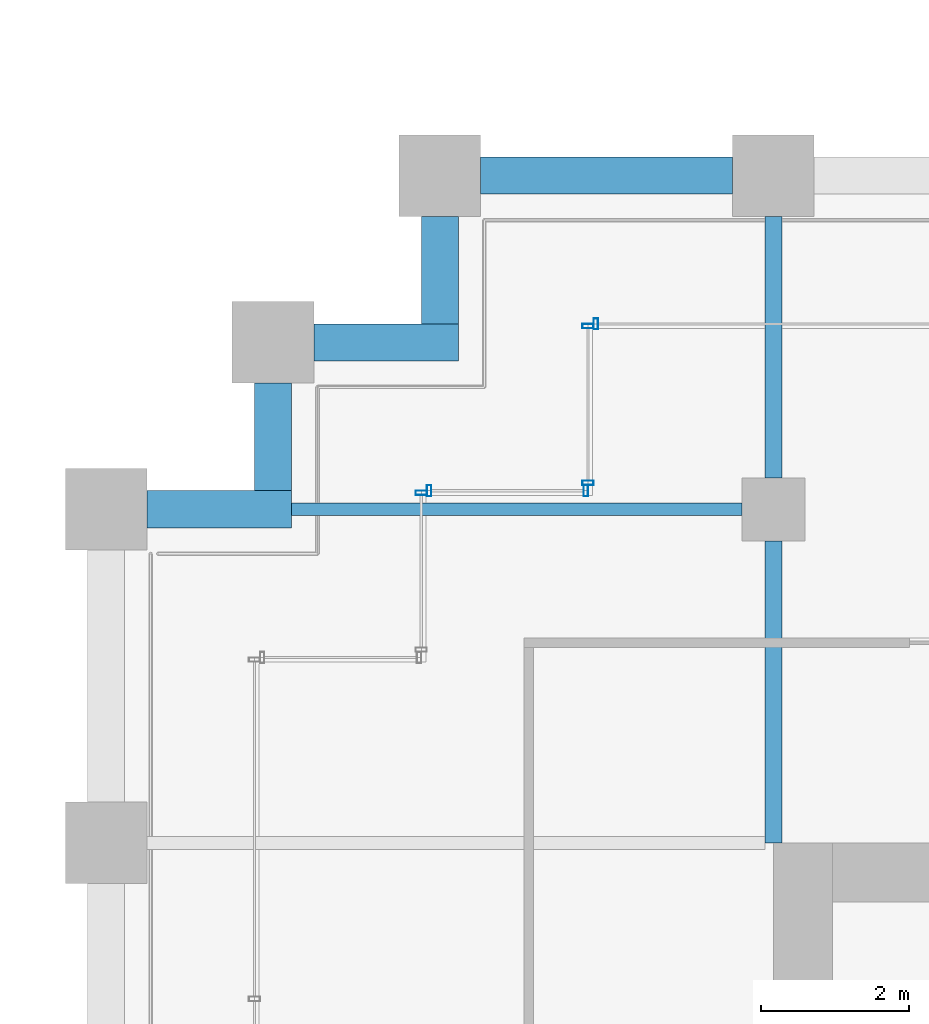
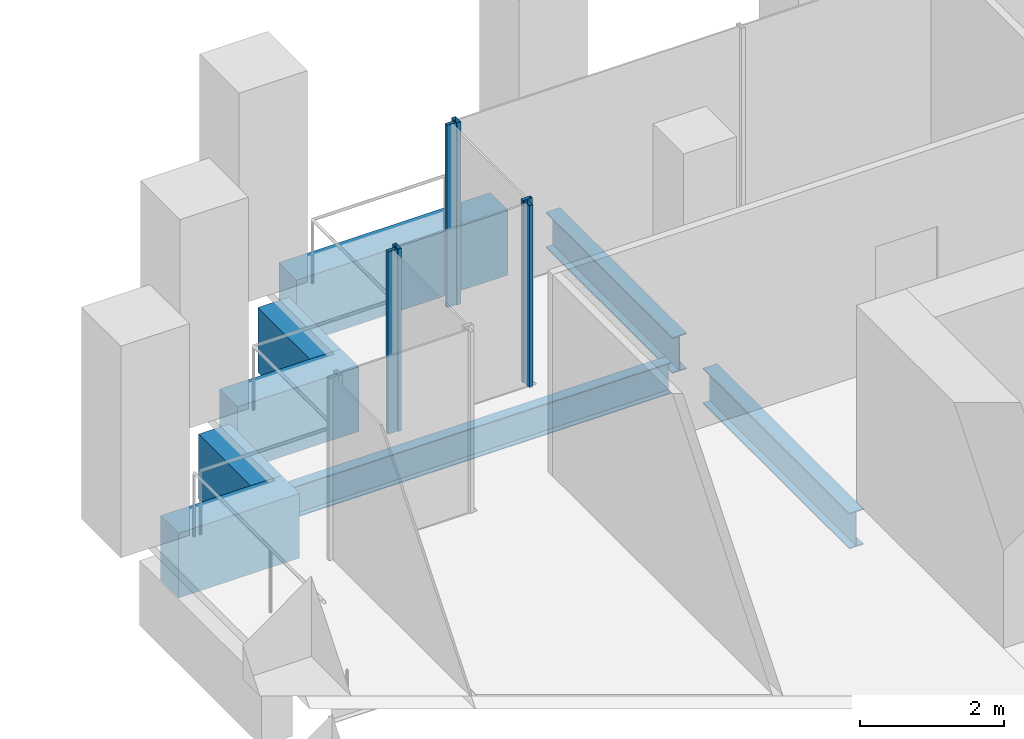
# One storey, part 41 of 56: 8 beams, 6 members, 4 elements without a shape of their own.
"""IFC4 building model written with IfcOpenShell, lengths in metres."""

from ifc_helpers import new_model, si_unit, direction, frame, origin, origin_2d, place, context, subcontext, project, spatial, rectangle, hollow_rectangle, i_section, extrude, material, material_profile, profile_set, type_object, element, aggregate, save


model = new_model("IFC4")

# Units and contexts
model_context = context("Model", 3, precision=1e-05, world=origin(), true_north=direction((0.0, 1.0)))
body_context = subcontext(model_context, "Body", "Model", "MODEL_VIEW")
ifc_project = project(units=[si_unit("LENGTHUNIT", "METRE"), si_unit("AREAUNIT", "SQUARE_METRE"), si_unit("VOLUMEUNIT", "CUBIC_METRE"), si_unit("PLANEANGLEUNIT", "RADIAN"), si_unit("MASSUNIT", "GRAM", prefix="KILO")], contexts=[model_context])

# Site, building, storey
site_placement = place(None, origin())
site = spatial("IfcSite", under=ifc_project, at=site_placement, CompositionType="ELEMENT")
building_placement = place(site_placement, origin())
building = spatial("IfcBuilding", under=site, at=building_placement, Name="Altepetl Exchange Towers", CompositionType="ELEMENT")
storey_placement = place(building_placement, frame((0.0, 0.0, 79.800048828125)))
storey = spatial("IfcBuildingStorey", under=building, at=storey_placement, Name="L19", CompositionType="ELEMENT", Elevation=79.800048828125)

# Beams
ifc_material_1 = material(Name="Steel S355", Category="steel")
ifc_material_profile_1 = material_profile(ifc_material_1, i_section(OverallWidth=0.166015625, OverallDepth=0.529052734375, WebThickness=0.009765625, FlangeThickness=0.013671875, at=origin_2d()), Name="W21X50")
ifc_profile_set_1 = profile_set([ifc_material_profile_1], Name="Steel S355")
beam_type_1 = type_object("IfcBeamType", Name="Floor beam W21X50", PredefinedType="BEAM", material=ifc_profile_set_1)
beam_1_placement = place(storey_placement, frame((97.0, 54.0, -0.41455078125), z_axis=(1.0, 0.0, 0.0), x_axis=(0.0, 1.0, 0.0)))
element("IfcBeam", 1, at=beam_1_placement, inside=storey, type_object=beam_type_1, Name="bm:B:L19:015", PredefinedType="BEAM", context=body_context, shape_type="SweptSolid", body=[
    extrude(i_section(OverallWidth=0.166015625, OverallDepth=0.529052734375, WebThickness=0.009765625, FlangeThickness=0.013671875, at=origin_2d()), origin(), (0.0, 0.0, 1.0), 6.074951171875),
])
ifc_material_profile_2 = material_profile(ifc_material_1, i_section(OverallWidth=0.22802734375, OverallDepth=0.60791015625, WebThickness=0.01123046875, FlangeThickness=0.017333984375, at=origin_2d()), Name="W24X76")
ifc_profile_set_2 = profile_set([ifc_material_profile_2], Name="Steel S355")
beam_type_2 = type_object("IfcBeamType", Name="Girder W24X76", PredefinedType="BEAM", material=ifc_profile_set_2)
beam_2_placement = place(storey_placement, frame((103.5, 57.949951171875, -0.4541015625), z_axis=(0.0, -1.0, 0.0), x_axis=(1.0, 0.0, 0.0)))
element("IfcBeam", 2, at=beam_2_placement, inside=storey, type_object=beam_type_2, Name="gd:B:L19:002", PredefinedType="BEAM", context=body_context, shape_type="SweptSolid", body=[
    extrude(i_section(OverallWidth=0.22802734375, OverallDepth=0.60791015625, WebThickness=0.01123046875, FlangeThickness=0.017333984375, at=origin_2d()), origin(), (0.0, 0.0, 1.0), 3.52490234375),
])
beam_3_placement = place(storey_placement, frame((103.5, 53.574951171875, -0.4541015625), z_axis=(0.0, -1.0, 0.0), x_axis=(1.0, 0.0, 0.0)))
element("IfcBeam", 3, at=beam_3_placement, inside=storey, type_object=beam_type_2, Name="gd:B:L19:003", PredefinedType="BEAM", context=body_context, shape_type="SweptSolid", body=[
    extrude(i_section(OverallWidth=0.22802734375, OverallDepth=0.60791015625, WebThickness=0.01123046875, FlangeThickness=0.017333984375, at=origin_2d()), origin(), (0.0, 0.0, 1.0), 4.074951171875),
])

# Curtain wall, member
ifc_material_2 = material(Name="Aluminium 6063-T6 glazing", Category="aluminium")
curtain_wall_type = type_object("IfcCurtainWallType", Name="Loggia glazing system", PredefinedType="NOTDEFINED", material=ifc_material_2)
curtain_wall_1_placement = place(storey_placement, origin())
curtain_wall_1 = element("IfcCurtainWall", 4, at=curtain_wall_1_placement, inside=storey, type_object=curtain_wall_type, Name="CW1 run", PredefinedType="NOTDEFINED")
ifc_material_3 = material(Name="Aluminium 6063-T6", Category="aluminium")
ifc_material_profile_3 = material_profile(ifc_material_3, hollow_rectangle(XDim=0.06005859375, YDim=0.14990234375, WallThickness=0.0029296875, at=origin_2d()), Name="Mullion 60x150 aluminium")
ifc_profile_set_3 = profile_set([ifc_material_profile_3], Name="Aluminium 6063-T6")
member_type = type_object("IfcMemberType", Name="Mullion 60x150 aluminium", PredefinedType="MULLION", material=ifc_profile_set_3)
member_1_placement = place(storey_placement, frame((101.10498046875, 56.5, 0.0), z_axis=(0.0, 0.0, 1.0), x_axis=(-1.0, 0.0, 0.0)))
member_1 = element("IfcMember", 5, at=member_1_placement, type_object=member_type, Name="MU1 mullion", PredefinedType="MULLION", context=body_context, shape_type="SweptSolid", body=[
    extrude(hollow_rectangle(XDim=0.06005859375, YDim=0.14990234375, WallThickness=0.0029296875, at=origin_2d()), origin(), (0.0, 0.0, 1.0), 3.099853515625),
])
aggregate(curtain_wall_1, [member_1])

# Curtain wall, members
curtain_wall_2_placement = place(storey_placement, origin())
curtain_wall_2 = element("IfcCurtainWall", 6, at=curtain_wall_2_placement, inside=storey, type_object=curtain_wall_type, Name="CW1 run", PredefinedType="NOTDEFINED")
member_2_placement = place(storey_placement, frame((101.0, 56.469970703125, 0.0), z_axis=(0.0, 0.0, 1.0), x_axis=(0.0, -1.0, 0.0)))
member_2 = element("IfcMember", 7, at=member_2_placement, type_object=member_type, Name="MU1 mullion", PredefinedType="MULLION", context=body_context, shape_type="SweptSolid", body=[
    extrude(hollow_rectangle(XDim=0.06005859375, YDim=0.14990234375, WallThickness=0.0029296875, at=origin_2d()), origin(), (0.0, 0.0, 1.0), 3.099853515625),
])
member_3_placement = place(storey_placement, frame((101.0, 54.35498046875, 0.0), z_axis=(0.0, 0.0, 1.0), x_axis=(0.0, -1.0, 0.0)))
member_3 = element("IfcMember", 8, at=member_3_placement, type_object=member_type, Name="MU1 mullion", PredefinedType="MULLION", context=body_context, shape_type="SweptSolid", body=[
    extrude(hollow_rectangle(XDim=0.06005859375, YDim=0.14990234375, WallThickness=0.0029296875, at=origin_2d()), origin(), (0.0, 0.0, 1.0), 3.099853515625),
])
aggregate(curtain_wall_2, [member_2, member_3])

curtain_wall_3_placement = place(storey_placement, origin())
curtain_wall_3 = element("IfcCurtainWall", 9, at=curtain_wall_3_placement, inside=storey, type_object=curtain_wall_type, Name="CW1 run", PredefinedType="NOTDEFINED")
member_4_placement = place(storey_placement, frame((100.969970703125, 54.25, 0.0), z_axis=(0.0, 0.0, 1.0), x_axis=(-1.0, 0.0, 0.0)))
member_4 = element("IfcMember", 10, at=member_4_placement, type_object=member_type, Name="MU1 mullion", PredefinedType="MULLION", context=body_context, shape_type="SweptSolid", body=[
    extrude(hollow_rectangle(XDim=0.06005859375, YDim=0.14990234375, WallThickness=0.0029296875, at=origin_2d()), origin(), (0.0, 0.0, 1.0), 3.099853515625),
])
member_5_placement = place(storey_placement, frame((98.85498046875, 54.25, 0.0), z_axis=(0.0, 0.0, 1.0), x_axis=(-1.0, 0.0, 0.0)))
member_5 = element("IfcMember", 11, at=member_5_placement, type_object=member_type, Name="MU1 mullion", PredefinedType="MULLION", context=body_context, shape_type="SweptSolid", body=[
    extrude(hollow_rectangle(XDim=0.06005859375, YDim=0.14990234375, WallThickness=0.0029296875, at=origin_2d()), origin(), (0.0, 0.0, 1.0), 3.099853515625),
])
aggregate(curtain_wall_3, [member_4, member_5])

# Curtain wall, member
curtain_wall_4_placement = place(storey_placement, origin())
curtain_wall_4 = element("IfcCurtainWall", 12, at=curtain_wall_4_placement, inside=storey, type_object=curtain_wall_type, Name="CW1 run", PredefinedType="NOTDEFINED")
member_6_placement = place(storey_placement, frame((98.75, 54.219970703125, 0.0), z_axis=(0.0, 0.0, 1.0), x_axis=(0.0, -1.0, 0.0)))
member_6 = element("IfcMember", 13, at=member_6_placement, type_object=member_type, Name="MU1 mullion", PredefinedType="MULLION", context=body_context, shape_type="SweptSolid", body=[
    extrude(hollow_rectangle(XDim=0.06005859375, YDim=0.14990234375, WallThickness=0.0029296875, at=origin_2d()), origin(), (0.0, 0.0, 1.0), 3.099853515625),
])
aggregate(curtain_wall_4, [member_6])

# Beams
ifc_material_4 = material(Name="Concrete C50/60 precast with cantera rosa facing", Category="concrete")
ifc_material_profile_4 = material_profile(ifc_material_4, rectangle(XDim=0.5, YDim=1.10009765625, at=origin_2d()), Name="500 x 1100")
ifc_profile_set_4 = profile_set([ifc_material_profile_4], Name="Concrete C50/60 precast with cantera rosa facing")
beam_type_3 = type_object("IfcBeamType", Name="Spandrel beam 500x1100 cantera rosa", PredefinedType="SPANDREL", material=ifc_profile_set_4)
beam_4_placement = place(storey_placement, frame((102.949951171875, 58.5, -0.699951171875), z_axis=(-1.0, 0.0, 0.0), x_axis=(0.0, -1.0, 0.0)))
element("IfcBeam", 14, at=beam_4_placement, inside=storey, type_object=beam_type_3, Name="sp:B:L19:022", PredefinedType="SPANDREL", context=body_context, shape_type="SweptSolid", body=[
    extrude(rectangle(XDim=0.5, YDim=1.10009765625, at=origin_2d()), origin(), (0.0, 0.0, 1.0), 3.39990234375),
])
beam_5_placement = place(storey_placement, frame((99.0, 57.949951171875, -0.699951171875), z_axis=(0.0, -1.0, 0.0), x_axis=(1.0, 0.0, 0.0)))
element("IfcBeam", 15, at=beam_5_placement, inside=storey, type_object=beam_type_3, Name="sp:B:L19:023", PredefinedType="SPANDREL", context=body_context, shape_type="SweptSolid", body=[
    extrude(rectangle(XDim=0.5, YDim=1.10009765625, at=origin_2d()), origin(), (0.0, 0.0, 1.0), 1.449951171875),
])
beam_6_placement = place(storey_placement, frame((99.25, 56.25, -0.699951171875), z_axis=(-1.0, 0.0, 0.0), x_axis=(0.0, -1.0, 0.0)))
element("IfcBeam", 16, at=beam_6_placement, inside=storey, type_object=beam_type_3, Name="sp:B:L19:024", PredefinedType="SPANDREL", context=body_context, shape_type="SweptSolid", body=[
    extrude(rectangle(XDim=0.5, YDim=1.10009765625, at=origin_2d()), origin(), (0.0, 0.0, 1.0), 1.949951171875),
])
beam_7_placement = place(storey_placement, frame((96.75, 55.699951171875, -0.699951171875), z_axis=(0.0, -1.0, 0.0), x_axis=(1.0, 0.0, 0.0)))
element("IfcBeam", 17, at=beam_7_placement, inside=storey, type_object=beam_type_3, Name="sp:B:L19:025", PredefinedType="SPANDREL", context=body_context, shape_type="SweptSolid", body=[
    extrude(rectangle(XDim=0.5, YDim=1.10009765625, at=origin_2d()), origin(), (0.0, 0.0, 1.0), 1.449951171875),
])
beam_8_placement = place(storey_placement, frame((97.0, 54.0, -0.699951171875), z_axis=(-1.0, 0.0, 0.0), x_axis=(0.0, -1.0, 0.0)))
element("IfcBeam", 18, at=beam_8_placement, inside=storey, type_object=beam_type_3, Name="sp:B:L19:026", PredefinedType="SPANDREL", context=body_context, shape_type="SweptSolid", body=[
    extrude(rectangle(XDim=0.5, YDim=1.10009765625, at=origin_2d()), origin(), (0.0, 0.0, 1.0), 1.949951171875),
])

save(model, "model.ifc")
